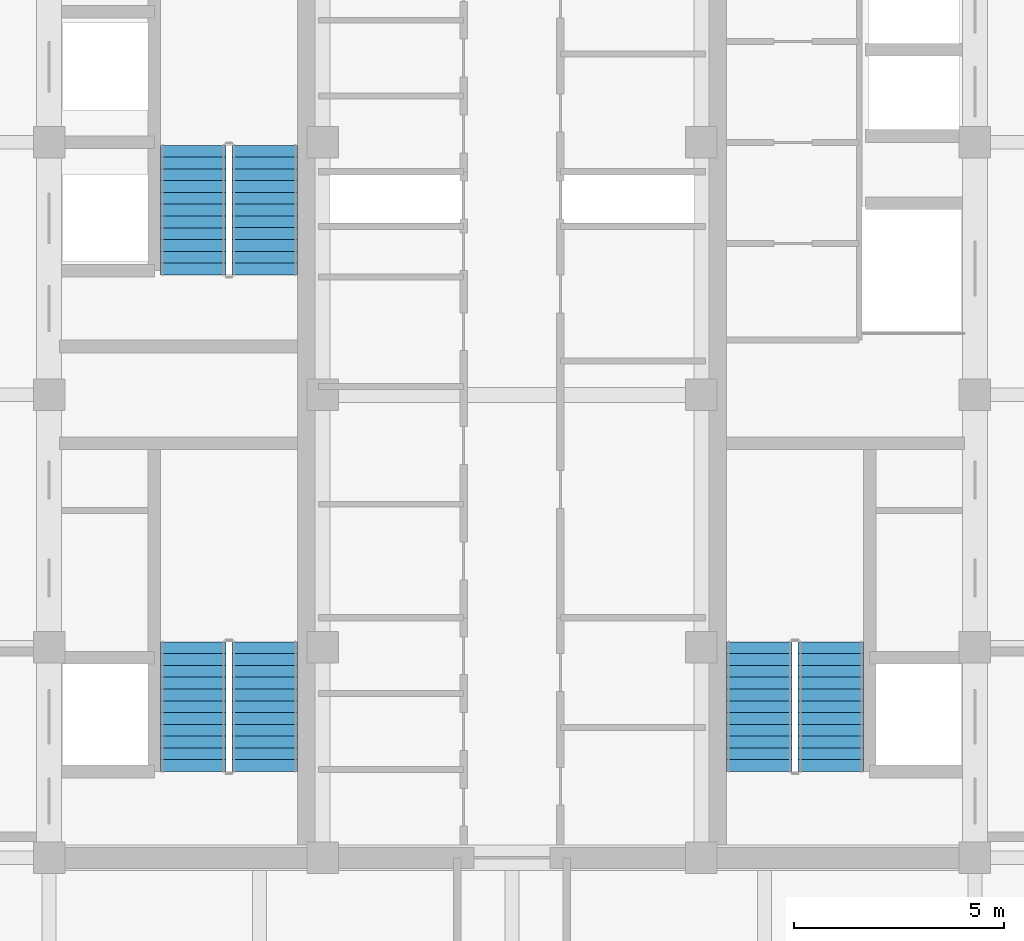
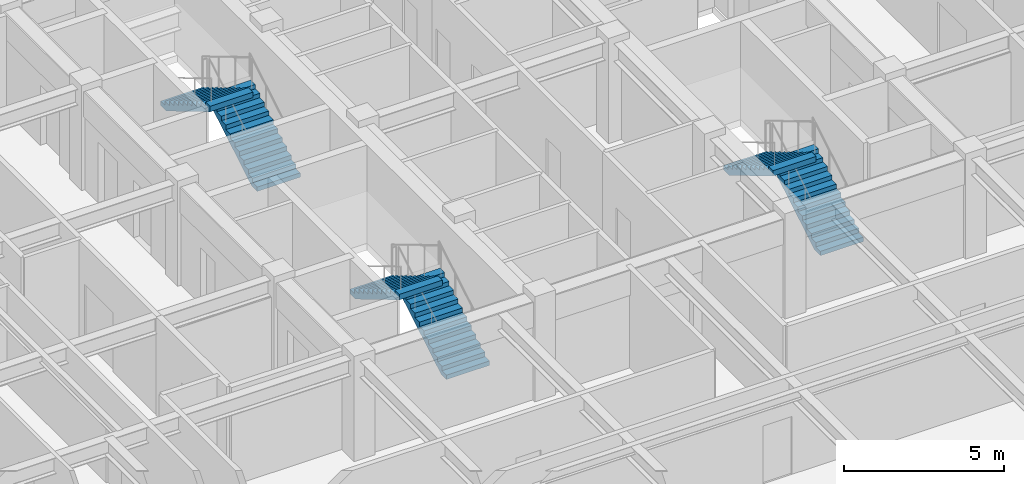
# One storey, part 28 of 29: 6 stair flights, 3 elements without a shape of their own.
"""IFC4 building model written with IfcOpenShell, lengths in metres."""

from ifc_helpers import new_model, si_unit, direction, frame, origin, place, context, subcontext, project, spatial, polyline, outline, extrude, source, transform, mapped, material, type_object, element, aggregate, save


model = new_model("IFC4")

# Units and contexts
model_context = context("Model", 3, precision=1e-05, world=origin(), true_north=direction((0.0, 1.0)))
body_context = subcontext(model_context, "Body", "Model", "MODEL_VIEW")
ifc_project = project(units=[si_unit("LENGTHUNIT", "METRE"), si_unit("AREAUNIT", "SQUARE_METRE"), si_unit("VOLUMEUNIT", "CUBIC_METRE"), si_unit("PLANEANGLEUNIT", "RADIAN"), si_unit("MASSUNIT", "GRAM", prefix="KILO")], contexts=[model_context])

# Site, building, storey
site_placement = place(None, origin())
site = spatial("IfcSite", under=ifc_project, at=site_placement, CompositionType="ELEMENT")
building_placement = place(site_placement, origin())
building = spatial("IfcBuilding", under=site, at=building_placement, Name="Khorayat Bourse Tower", CompositionType="ELEMENT")
storey_placement = place(building_placement, frame((0.0, 0.0, 358.300048828125)))
storey = spatial("IfcBuildingStorey", under=building, at=storey_placement, Name="L85", CompositionType="ELEMENT", Elevation=358.300048828125)

# Stair, stair flights
ifc_material = material(Name="Concrete C40/50", Category="concrete")
stair_type = type_object("IfcStairType", Name="STR-CORE-1550", PredefinedType="HALF_TURN_STAIR", material=ifc_material)
stair_1_placement = place(storey_placement, origin())
stair_1 = element("IfcStair", 1, at=stair_1_placement, inside=storey, type_object=stair_type, Name="L85 Exit Stair ST-1", PredefinedType="HALF_TURN_STAIR")
stair_flight_type = type_object("IfcStairFlightType", Name="FLT-CORE-1550", PredefinedType="STRAIGHT", material=ifc_material)
shared_shape = source(origin(), body_context, "Body", "SweptSolid", [
    extrude(outline(polyline([(0.0, 0.0), (0.0, 0.166748046875), (0.280029296875, 0.166748046875), (0.280029296875, 0.333251953125), (0.56005859375, 0.333251953125), (0.56005859375, 0.5), (0.840087890625, 0.5), (0.840087890625, 0.666748046875), (1.1201171875, 0.666748046875), (1.1201171875, 0.833251953125), (1.39990234375, 0.833251953125), (1.39990234375, 1.0), (1.679931640625, 1.0), (1.679931640625, 1.166748046875), (1.9599609375, 1.166748046875), (1.9599609375, 1.333251953125), (2.239990234375, 1.333251953125), (2.239990234375, 1.5), (2.52001953125, 1.5), (2.52001953125, 1.666748046875), (2.800048828125, 1.666748046875), (2.800048828125, 1.833251953125), (3.080078125, 1.833251953125), (3.080078125, 2.0), (3.080078125, 1.6240234375), (0.351806640625, 0.0), (0.0, 0.0)])), frame((0.0, 0.77490234375, 0.0), z_axis=(0.0, -1.0, 0.0), x_axis=(1.0, 0.0, 0.0)), (0.0, 0.0, 1.0), 1.550048828125),
])
stair_flight_1_placement = place(storey_placement, frame((-5.875, -8.949951171875, 0.0), z_axis=(0.0, 0.0, 1.0), x_axis=(0.0, 1.0, 0.0)))
stair_flight_1 = element("IfcStairFlight", 2, at=stair_flight_1_placement, type_object=stair_flight_type, Name="ST-1 flight 1", NumberOfRisers=12, NumberOfTreads=11, PredefinedType="STRAIGHT", RiserHeight=0.166666667, TreadLength=0.28, context=body_context, shape_type="MappedRepresentation", body=[
    mapped(shared_shape, transform((0.0, 0.0, 0.0), scale=1.0)),
])
stair_flight_2_placement = place(storey_placement, frame((-7.574951171875, -5.8701171875, 2.0), z_axis=(0.0, 0.0, 1.0), x_axis=(0.0, -1.0, 0.0)))
stair_flight_2 = element("IfcStairFlight", 3, at=stair_flight_2_placement, type_object=stair_flight_type, Name="ST-1 flight 2", NumberOfRisers=12, NumberOfTreads=11, PredefinedType="STRAIGHT", RiserHeight=0.166666667, TreadLength=0.28, context=body_context, shape_type="MappedRepresentation", body=[
    mapped(shared_shape, transform((0.0, 0.0, 0.0), scale=1.0)),
])
aggregate(stair_1, [stair_flight_1, stair_flight_2])

stair_2_placement = place(storey_placement, origin())
stair_2 = element("IfcStair", 4, at=stair_2_placement, inside=storey, type_object=stair_type, Name="L85 Exit Stair ST-2", PredefinedType="HALF_TURN_STAIR")
stair_flight_3_placement = place(storey_placement, frame((-5.875, 2.85009765625, 0.0), z_axis=(0.0, 0.0, 1.0), x_axis=(0.0, 1.0, 0.0)))
stair_flight_3 = element("IfcStairFlight", 5, at=stair_flight_3_placement, type_object=stair_flight_type, Name="ST-2 flight 1", NumberOfRisers=12, NumberOfTreads=11, PredefinedType="STRAIGHT", RiserHeight=0.166666667, TreadLength=0.28, context=body_context, shape_type="MappedRepresentation", body=[
    mapped(shared_shape, transform((0.0, 0.0, 0.0), scale=1.0)),
])
stair_flight_4_placement = place(storey_placement, frame((-7.574951171875, 5.929931640625, 2.0), z_axis=(0.0, 0.0, 1.0), x_axis=(0.0, -1.0, 0.0)))
stair_flight_4 = element("IfcStairFlight", 6, at=stair_flight_4_placement, type_object=stair_flight_type, Name="ST-2 flight 2", NumberOfRisers=12, NumberOfTreads=11, PredefinedType="STRAIGHT", RiserHeight=0.166666667, TreadLength=0.28, context=body_context, shape_type="MappedRepresentation", body=[
    mapped(shared_shape, transform((0.0, 0.0, 0.0), scale=1.0)),
])
aggregate(stair_2, [stair_flight_3, stair_flight_4])

stair_3_placement = place(storey_placement, origin())
stair_3 = element("IfcStair", 7, at=stair_3_placement, inside=storey, type_object=stair_type, Name="L85 Exit Stair ST-3", PredefinedType="HALF_TURN_STAIR")
stair_flight_5_placement = place(storey_placement, frame((7.574951171875, -8.949951171875, 0.0), z_axis=(0.0, 0.0, 1.0), x_axis=(0.0, 1.0, 0.0)))
stair_flight_5 = element("IfcStairFlight", 8, at=stair_flight_5_placement, type_object=stair_flight_type, Name="ST-3 flight 1", NumberOfRisers=12, NumberOfTreads=11, PredefinedType="STRAIGHT", RiserHeight=0.166666667, TreadLength=0.28, context=body_context, shape_type="MappedRepresentation", body=[
    mapped(shared_shape, transform((0.0, 0.0, 0.0), scale=1.0)),
])
stair_flight_6_placement = place(storey_placement, frame((5.875, -5.8701171875, 2.0), z_axis=(0.0, 0.0, 1.0), x_axis=(0.0, -1.0, 0.0)))
stair_flight_6 = element("IfcStairFlight", 9, at=stair_flight_6_placement, type_object=stair_flight_type, Name="ST-3 flight 2", NumberOfRisers=12, NumberOfTreads=11, PredefinedType="STRAIGHT", RiserHeight=0.166666667, TreadLength=0.28, context=body_context, shape_type="MappedRepresentation", body=[
    mapped(shared_shape, transform((0.0, 0.0, 0.0), scale=1.0)),
])
aggregate(stair_3, [stair_flight_5, stair_flight_6])

save(model, "model.ifc")
